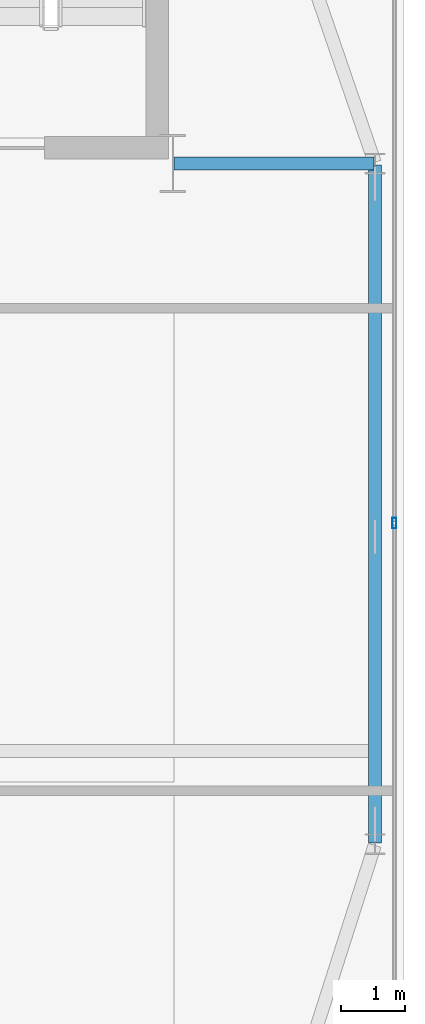
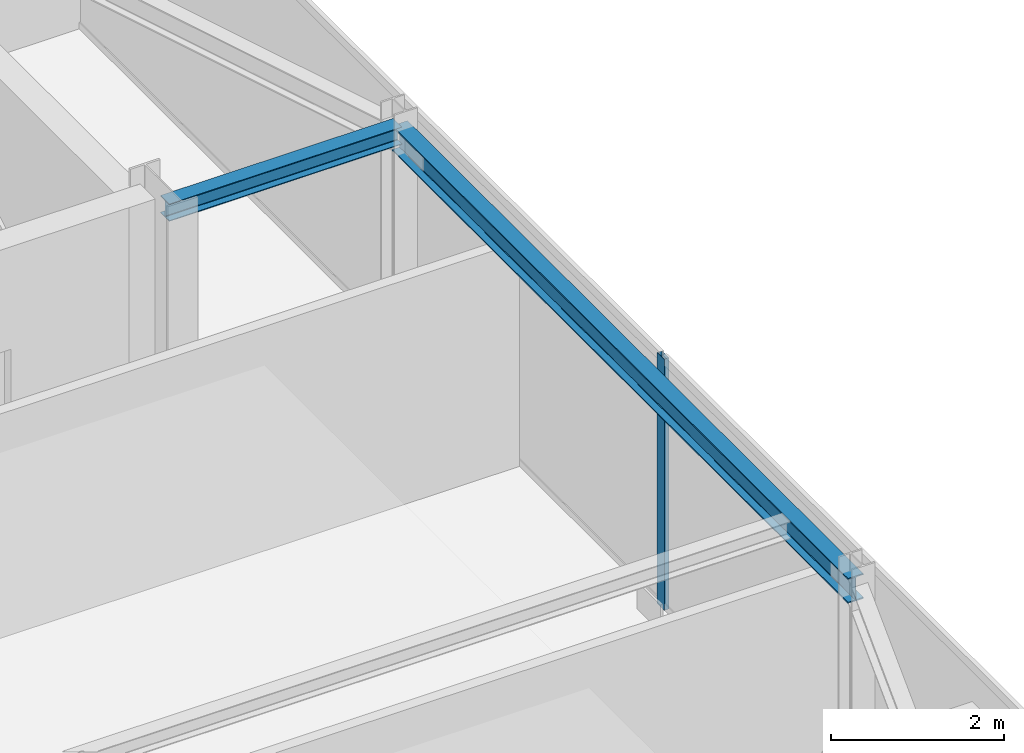
# One storey, part 16 of 24: 2 beams, 1 member, 1 element without a shape of its own.
"""IFC4 building model written with IfcOpenShell, lengths in metres."""

from ifc_helpers import new_model, si_unit, direction, frame, origin, origin_2d, place, context, subcontext, project, spatial, hollow_rectangle, i_section, extrude, source, transform, mapped, material, layer, layer_set, material_profile, profile_set, type_object, type_shapes, element, aggregate, save


model = new_model("IFC4")

# Units and contexts
model_context = context("Model", 3, precision=1e-05, world=origin(), true_north=direction((0.0, 1.0)))
body_context = subcontext(model_context, "Body", "Model", "MODEL_VIEW")
ifc_project = project(units=[si_unit("LENGTHUNIT", "METRE"), si_unit("AREAUNIT", "SQUARE_METRE"), si_unit("VOLUMEUNIT", "CUBIC_METRE"), si_unit("PLANEANGLEUNIT", "RADIAN"), si_unit("MASSUNIT", "GRAM", prefix="KILO")], contexts=[model_context])

# Site, building, storey
site_placement = place(None, origin())
site = spatial("IfcSite", under=ifc_project, at=site_placement, CompositionType="ELEMENT")
building_placement = place(site_placement, origin())
building = spatial("IfcBuilding", under=site, at=building_placement, Name="Varnel Quay Broadcast Tower", CompositionType="ELEMENT")
storey_placement = place(building_placement, frame((0.0, 0.0, 292.60009765625)))
storey = spatial("IfcBuildingStorey", under=building, at=storey_placement, Name="L73", CompositionType="ELEMENT", Elevation=292.60009765625)

# Beams
ifc_material_1 = material(Name="Structural Steel CSA G40.21 350W", Category="steel")
ifc_material_profile_1 = material_profile(ifc_material_1, i_section(OverallWidth=0.205078125, OverallDepth=0.35400390625, WebThickness=0.009521484375, FlangeThickness=0.016845703125, FilletRadius=0.012939453125, at=origin_2d()), Name="W360X79")
ifc_profile_set_1 = profile_set([ifc_material_profile_1], Name="Structural Steel CSA G40.21 350W")
beam_type_1 = type_object("IfcBeamType", Name="Beam_W360X79", PredefinedType="SPANDREL", material=ifc_profile_set_1)
shared_shape_1 = source(origin(), body_context, "Body", "SweptSolid", [
    extrude(i_section(OverallWidth=0.205078125, OverallDepth=0.35400390625, WebThickness=0.009521484375, FlangeThickness=0.016845703125, FilletRadius=0.012939453125, at=origin_2d()), origin(), (0.0, 0.0, 1.0), 10.56005859375),
])
type_shapes(beam_type_1, [shared_shape_1])
beam_1_placement = place(storey_placement, frame((55.550048828125, 25.02001953125, 3.372802734375), z_axis=(0.0, 1.0, 0.0), x_axis=(-1.0, 0.0, 0.0)))
element("IfcBeam", 1, at=beam_1_placement, inside=storey, type_object=beam_type_1, Name="L73 East Spandrel TC-E1-TC-E2", PredefinedType="SPANDREL", context=body_context, shape_type="MappedRepresentation", body=[
    mapped(shared_shape_1, transform((0.0, 0.0, 0.0), x_axis=(1.0, 0.0, 0.0), y_axis=(0.0, 1.0, 0.0), z_axis=(0.0, 0.0, 1.0), scale=1.0)),
])
ifc_material_profile_2 = material_profile(ifc_material_1, i_section(OverallWidth=0.201904296875, OverallDepth=0.2470703125, WebThickness=0.00732421875, FlangeThickness=0.010986328125, FilletRadius=0.010986328125, at=origin_2d()), Name="W250X49")
ifc_profile_set_2 = profile_set([ifc_material_profile_2], Name="Structural Steel CSA G40.21 350W")
beam_type_2 = type_object("IfcBeamType", Name="Beam_W250X49", PredefinedType="JOIST", material=ifc_profile_set_2)
shared_shape_2 = source(origin(), body_context, "Body", "SweptSolid", [
    extrude(i_section(OverallWidth=0.201904296875, OverallDepth=0.2470703125, WebThickness=0.00732421875, FlangeThickness=0.010986328125, FilletRadius=0.010986328125, at=origin_2d()), origin(), (0.0, 0.0, 1.0), 3.110107421875),
])
type_shapes(beam_type_2, [shared_shape_2])
beam_2_placement = place(storey_placement, frame((52.419921875, 35.60009765625, 3.426513671875), z_axis=(1.0, 0.0, 0.0), x_axis=(0.0, 1.0, 0.0)))
element("IfcBeam", 2, at=beam_2_placement, inside=storey, type_object=beam_type_2, Name="L73 East Core Tie Joist", PredefinedType="JOIST", context=body_context, shape_type="MappedRepresentation", body=[
    mapped(shared_shape_2, transform((0.0, 0.0, 0.0), x_axis=(1.0, 0.0, 0.0), y_axis=(0.0, 1.0, 0.0), z_axis=(0.0, 0.0, 1.0), scale=1.0)),
])

# Curtain wall, member
ifc_material_2 = material(Name="Anodised Bronze Aluminium 6063-T6", Category="aluminium")
ifc_layer = layer(ifc_material_2, 0.18994140625, Name="Anodised Bronze Aluminium 6063-T6")
ifc_layer_set = layer_set([ifc_layer], Name="Anodised Bronze Aluminium 6063-T6")
curtain_wall_type = type_object("IfcCurtainWallType", Name="CW_UpperTower", PredefinedType="NOTDEFINED", material=ifc_layer_set)
curtain_wall_placement = place(storey_placement, origin())
curtain_wall = element("IfcCurtainWall", 3, at=curtain_wall_placement, inside=storey, type_object=curtain_wall_type, Name="L73 East Unitised Curtain Wall", PredefinedType="NOTDEFINED")
ifc_material_profile_3 = material_profile(ifc_material_2, hollow_rectangle(XDim=0.06494140625, YDim=0.1650390625, WallThickness=0.00341796875, at=origin_2d()), Name="ALU65X165X3.5")
ifc_profile_set_3 = profile_set([ifc_material_profile_3], Name="Anodised Bronze Aluminium 6063-T6")
member_type = type_object("IfcMemberType", Name="Mull_CWS-03", PredefinedType="MULLION", material=ifc_profile_set_3)
shared_shape_3 = source(origin(), body_context, "Body", "SweptSolid", [
    extrude(hollow_rectangle(XDim=0.06494140625, YDim=0.1650390625, WallThickness=0.00341796875, at=origin_2d()), origin(), (0.0, 0.0, 1.0), 3.5498046875),
])
type_shapes(member_type, [shared_shape_3])
member_placement = place(storey_placement, frame((55.85009765625, 30.0, 0.0), z_axis=(0.0, 0.0, 1.0), x_axis=(-1.0, 0.0, 0.0)))
member = element("IfcMember", 4, at=member_placement, type_object=member_type, Name="CWS-03 mullion 2", PredefinedType="MULLION", context=body_context, shape_type="MappedRepresentation", body=[
    mapped(shared_shape_3, transform((0.0, 0.0, 0.0), x_axis=(1.0, 0.0, 0.0), y_axis=(0.0, 1.0, 0.0), z_axis=(0.0, 0.0, 1.0), scale=1.0)),
])
aggregate(curtain_wall, [member])

save(model, "model.ifc")
